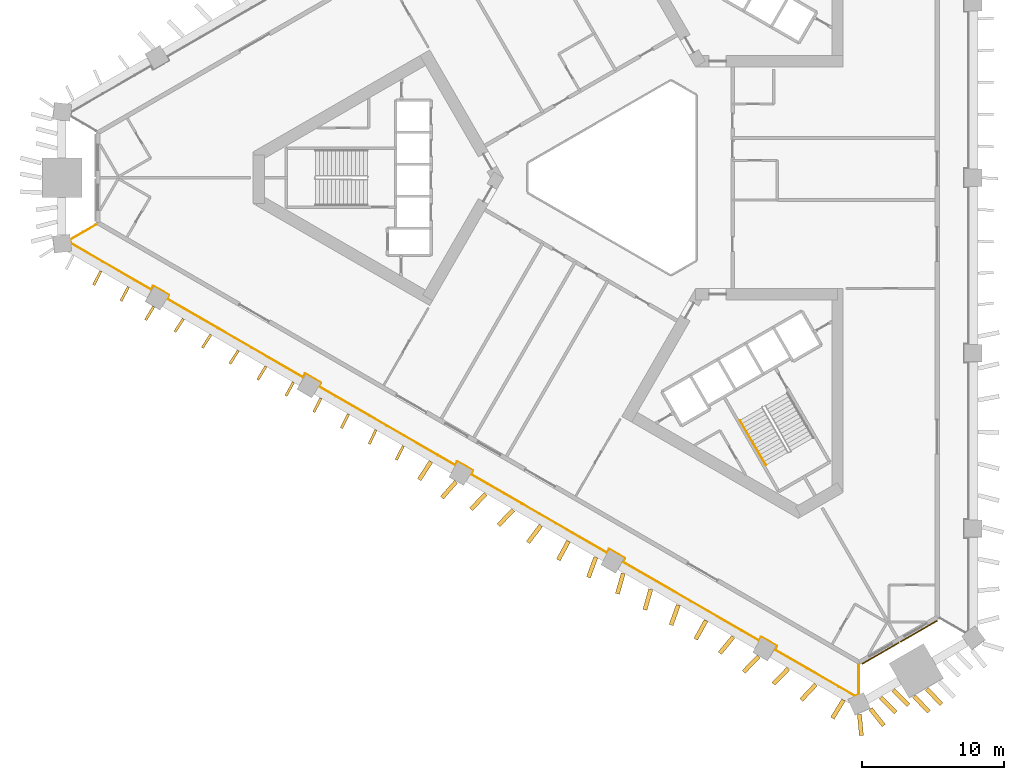
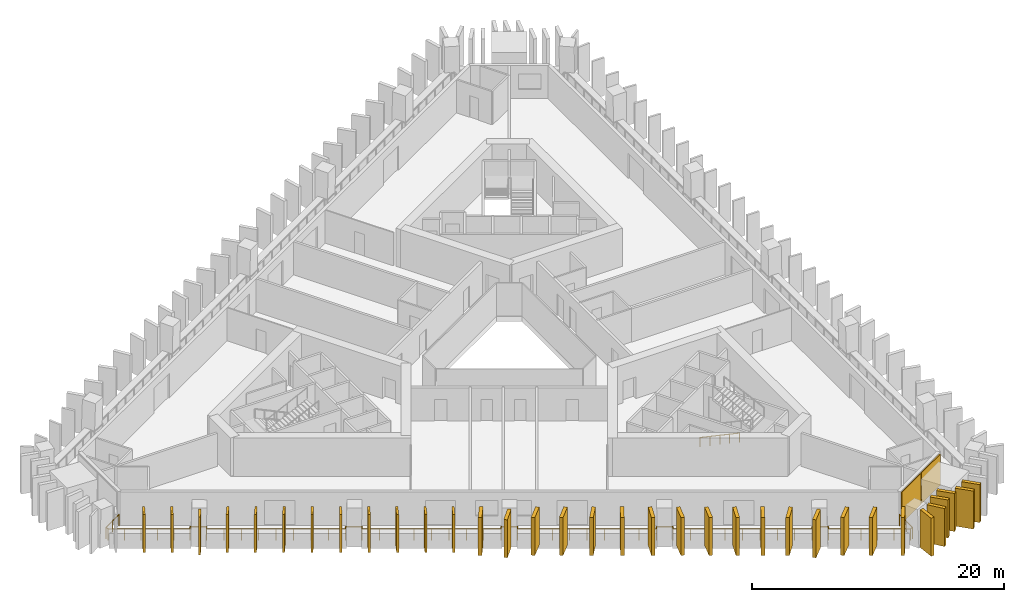
# One storey, part 7 of 10: 34 shading devices, 2 coverings, 2 railings.
"""IFC4 building model written with IfcOpenShell, lengths in metres."""

from ifc_helpers import new_model, si_unit, direction, frame, frame_2d, origin, origin_2d, place, context, subcontext, project, spatial, rectangle, circle, extrude, material, layer, layer_set, type_object, element, save


model = new_model("IFC4")

# Units and contexts
model_context = context("Model", 3, precision=1e-05, world=origin(), true_north=direction((0.0, 1.0)))
body_context = subcontext(model_context, "Body", "Model", "MODEL_VIEW")
ifc_project = project(units=[si_unit("LENGTHUNIT", "METRE"), si_unit("AREAUNIT", "SQUARE_METRE"), si_unit("VOLUMEUNIT", "CUBIC_METRE"), si_unit("PLANEANGLEUNIT", "RADIAN"), si_unit("MASSUNIT", "GRAM", prefix="KILO")], contexts=[model_context])

# Site, building, storey
site_placement = place(None, origin())
site = spatial("IfcSite", under=ifc_project, at=site_placement, CompositionType="ELEMENT")
building_placement = place(site_placement, origin())
building = spatial("IfcBuilding", under=site, at=building_placement, Name="Jabali Bay Hotel Tower and Convention Centre", CompositionType="ELEMENT")
storey_placement = place(building_placement, frame((0.0, 0.0, 30.0)))
storey = spatial("IfcBuildingStorey", under=building, at=storey_placement, Name="L05", CompositionType="ELEMENT", Elevation=30.0)

# Railing
ifc_material_1 = material(Name="Glass", Category="glass")
railing_type_1 = type_object("IfcRailingType", Name="Loggia glass guard 1100", PredefinedType="BALUSTRADE", material=ifc_material_1)
railing_1_placement = place(storey_placement, frame((90.970947265625, 45.72216796875, 0.0)))
element("IfcRailing", 1, at=railing_1_placement, inside=storey, type_object=railing_type_1, Name="Loggia glass guard L05", PredefinedType="BALUSTRADE", context=body_context, shape_type="SweptSolid", body=[
    extrude(circle(Radius=0.02490234375, at=origin_2d()), frame((0.0, 0.0, 1.0751953125), z_axis=(0.0, -1.0, 0.0), x_axis=(0.991444861374, 0.0, 0.13052619222)), (0.0, 0.0, 1.0), 2.0556640625),
    extrude(circle(Radius=0.02490234375, at=origin_2d()), frame((0.0, -2.0556640625, 1.0751953125), z_axis=(-0.917848253155, -0.396931460305, 0.0), x_axis=(0.393535656637, -0.909995934112, 0.13052619222)), (0.0, 0.0, 1.0), 0.273681640625),
    extrude(circle(Radius=0.02490234375, at=origin_2d()), frame((-0.251220703125, -2.164306640625, 1.0751953125), z_axis=(-0.866038082106, 0.49997803986, 0.0), x_axis=(-0.495700658419, -0.858629006258, 0.13052619222)), (0.0, 0.0, 1.0), 6.504638671875),
    extrude(circle(Radius=0.02490234375, at=origin_2d()), frame((-5.884521484375, 1.087890625, 1.0751953125), z_axis=(0.500426713919, 0.865778900179, 0.0), x_axis=(-0.858372041669, 0.49614549401, 0.13052619222)), (0.0, 0.0, 1.0), 0.300048828125),
    extrude(circle(Radius=0.02490234375, at=origin_2d()), frame((-5.734375, 1.34765625, 1.0751953125), z_axis=(-0.866004217611, 0.500036693733, 0.0), x_axis=(-0.4957588105, -0.858595431479, 0.13052619222)), (0.0, 0.0, 1.0), 1.30029296875),
    extrude(circle(Radius=0.02490234375, at=origin_2d()), frame((-6.8603515625, 1.997802734375, 1.0751953125), z_axis=(-0.499816412211, -0.866131372301, 0.0), x_axis=(0.858721498343, -0.495540413517, 0.13052619222)), (0.0, 0.0, 1.0), 0.2998046875),
    extrude(circle(Radius=0.02490234375, at=origin_2d()), frame((-7.01025390625, 1.738037109375, 1.0751953125), z_axis=(-0.866027235041, 0.499996828157, 0.0), x_axis=(-0.495719285979, -0.858618251991, 0.13052619222)), (0.0, 0.0, 1.0), 11.0400390625),
    extrude(circle(Radius=0.02490234375, at=origin_2d()), frame((-16.5712890625, 7.258056640625, 1.0751953125), z_axis=(0.500426713919, 0.865778900179, 0.0), x_axis=(-0.858372041669, 0.49614549401, 0.13052619222)), (0.0, 0.0, 1.0), 0.300048828125),
    extrude(circle(Radius=0.02490234375, at=origin_2d()), frame((-16.421142578125, 7.517822265625, 1.0751953125), z_axis=(-0.866085525409, 0.49989585183, 0.0), x_axis=(-0.495619173519, -0.858676043677, 0.13052619222)), (0.0, 0.0, 1.0), 1.300048828125),
    extrude(circle(Radius=0.02490234375, at=origin_2d()), frame((-17.547119140625, 8.167724609375, 1.0751953125), z_axis=(-0.499816412211, -0.866131372301, 0.0), x_axis=(0.858721498343, -0.495540413517, 0.13052619222)), (0.0, 0.0, 1.0), 0.2998046875),
    extrude(circle(Radius=0.02490234375, at=origin_2d()), frame((-17.697021484375, 7.907958984375, 1.0751953125), z_axis=(-0.866027235041, 0.499996828157, 0.0), x_axis=(-0.495719285979, -0.858618251991, 0.13052619222)), (0.0, 0.0, 1.0), 11.0400390625),
    extrude(circle(Radius=0.02490234375, at=origin_2d()), frame((-27.258056640625, 13.427978515625, 1.0751953125), z_axis=(0.500426713919, 0.865778900179, 0.0), x_axis=(-0.858372041669, 0.49614549401, 0.13052619222)), (0.0, 0.0, 1.0), 0.300048828125),
    extrude(circle(Radius=0.02490234375, at=origin_2d()), frame((-27.10791015625, 13.687744140625, 1.0751953125), z_axis=(-0.866004217611, 0.500036693733, 0.0), x_axis=(-0.4957588105, -0.858595431479, 0.13052619222)), (0.0, 0.0, 1.0), 1.30029296875),
    extrude(circle(Radius=0.02490234375, at=origin_2d()), frame((-28.23388671875, 14.337890625, 1.0751953125), z_axis=(-0.499816412211, -0.866131372301, 0.0), x_axis=(0.858721498343, -0.495540413517, 0.13052619222)), (0.0, 0.0, 1.0), 0.2998046875),
    extrude(circle(Radius=0.02490234375, at=origin_2d()), frame((-28.3837890625, 14.078125, 1.0751953125), z_axis=(-0.866027235041, 0.499996828157, 0.0), x_axis=(-0.495719285979, -0.858618251991, 0.13052619222)), (0.0, 0.0, 1.0), 11.0400390625),
    extrude(circle(Radius=0.02490234375, at=origin_2d()), frame((-37.94482421875, 19.59814453125, 1.0751953125), z_axis=(0.499816412211, 0.866131372301, 0.0), x_axis=(-0.858721498343, 0.495540413517, 0.13052619222)), (0.0, 0.0, 1.0), 0.2998046875),
    extrude(circle(Radius=0.02490234375, at=origin_2d()), frame((-37.794921875, 19.85791015625, 1.0751953125), z_axis=(-0.86603858612, 0.49997716683, 0.0), x_axis=(-0.495699792858, -0.85862950596, 0.13052619222)), (0.0, 0.0, 1.0), 1.2998046875),
    extrude(circle(Radius=0.02490234375, at=origin_2d()), frame((-38.920654296875, 20.5078125, 1.0751953125), z_axis=(-0.499816412211, -0.866131372301, 0.0), x_axis=(0.858721498343, -0.495540413517, 0.13052619222)), (0.0, 0.0, 1.0), 0.2998046875),
    extrude(circle(Radius=0.02490234375, at=origin_2d()), frame((-39.070556640625, 20.248046875, 1.0751953125), z_axis=(-0.866027235041, 0.499996828157, 0.0), x_axis=(-0.495719285979, -0.858618251991, 0.13052619222)), (0.0, 0.0, 1.0), 11.0400390625),
    extrude(circle(Radius=0.02490234375, at=origin_2d()), frame((-48.631591796875, 25.76806640625, 1.0751953125), z_axis=(0.499816412211, 0.866131372301, 0.0), x_axis=(-0.858721498343, 0.495540413517, 0.13052619222)), (0.0, 0.0, 1.0), 0.2998046875),
    extrude(circle(Radius=0.02490234375, at=origin_2d()), frame((-48.481689453125, 26.02783203125, 1.0751953125), z_axis=(-0.86595725628, 0.500118016368, 0.0), x_axis=(-0.495839437409, -0.858548871908, 0.13052619222)), (0.0, 0.0, 1.0), 1.300048828125),
    extrude(circle(Radius=0.02490234375, at=origin_2d()), frame((-49.607421875, 26.677978515625, 1.0751953125), z_axis=(-0.500074377092, -0.865982457891, 0.0), x_axis=(0.858573857916, -0.495796171473, 0.13052619222)), (0.0, 0.0, 1.0), 0.30029296875),
    extrude(circle(Radius=0.02490234375, at=origin_2d()), frame((-49.757568359375, 26.41796875, 1.0751953125), z_axis=(-0.866012446351, 0.500022442261, 0.0), x_axis=(-0.495744680951, -0.858603589821, 0.13052619222)), (0.0, 0.0, 1.0), 6.504638671875),
    extrude(circle(Radius=0.02490234375, at=origin_2d()), frame((-55.390625, 29.67041015625, 1.0751953125), z_axis=(-0.115132230487, 0.993350174663, 0.0), x_axis=(-0.984851926214, -0.114147258294, 0.13052619222)), (0.0, 0.0, 1.0), 0.2734375),
    extrude(circle(Radius=0.02490234375, at=origin_2d()), frame((-55.422119140625, 29.942138671875, 1.0751953125), z_axis=(0.865975938727, 0.500085666207, 0.0), x_axis=(-0.495807364007, 0.858567394524, 0.13052619222)), (0.0, 0.0, 1.0), 2.055908203125),
    extrude(circle(Radius=0.02001953125, at=origin_2d()), origin(), (0.0, 0.0, 1.0), 1.050048828125),
    extrude(circle(Radius=0.02001953125, at=origin_2d()), frame((0.0, -1.02783203125, 0.0)), (0.0, 0.0, 1.0), 1.050048828125),
    extrude(circle(Radius=0.02001953125, at=origin_2d()), frame((0.0, -2.0556640625, 0.0)), (0.0, 0.0, 1.0), 1.050048828125),
    extrude(circle(Radius=0.02001953125, at=origin_2d()), frame((-0.251220703125, -2.164306640625, 0.0)), (0.0, 0.0, 1.0), 1.050048828125),
    extrude(circle(Radius=0.02001953125, at=origin_2d()), frame((-1.3779296875, -1.513916015625, 0.0)), (0.0, 0.0, 1.0), 1.050048828125),
    extrude(circle(Radius=0.02001953125, at=origin_2d()), frame((-2.504638671875, -0.863525390625, 0.0)), (0.0, 0.0, 1.0), 1.050048828125),
    extrude(circle(Radius=0.02001953125, at=origin_2d()), frame((-3.631103515625, -0.212890625, 0.0)), (0.0, 0.0, 1.0), 1.050048828125),
    extrude(circle(Radius=0.02001953125, at=origin_2d()), frame((-4.7578125, 0.4375, 0.0)), (0.0, 0.0, 1.0), 1.050048828125),
    extrude(circle(Radius=0.02001953125, at=origin_2d()), frame((-5.884521484375, 1.087890625, 0.0)), (0.0, 0.0, 1.0), 1.050048828125),
    extrude(circle(Radius=0.02001953125, at=origin_2d()), frame((-5.734375, 1.34765625, 0.0)), (0.0, 0.0, 1.0), 1.050048828125),
    extrude(circle(Radius=0.02001953125, at=origin_2d()), frame((-6.8603515625, 1.997802734375, 0.0)), (0.0, 0.0, 1.0), 1.050048828125),
    extrude(circle(Radius=0.02001953125, at=origin_2d()), frame((-7.01025390625, 1.738037109375, 0.0)), (0.0, 0.0, 1.0), 1.050048828125),
    extrude(circle(Radius=0.02001953125, at=origin_2d()), frame((-8.205322265625, 2.427978515625, 0.0)), (0.0, 0.0, 1.0), 1.050048828125),
    extrude(circle(Radius=0.02001953125, at=origin_2d()), frame((-9.400390625, 3.1181640625, 0.0)), (0.0, 0.0, 1.0), 1.050048828125),
    extrude(circle(Radius=0.02001953125, at=origin_2d()), frame((-10.595703125, 3.80810546875, 0.0)), (0.0, 0.0, 1.0), 1.050048828125),
    extrude(circle(Radius=0.02001953125, at=origin_2d()), frame((-11.790771484375, 4.498046875, 0.0)), (0.0, 0.0, 1.0), 1.050048828125),
    extrude(circle(Radius=0.02001953125, at=origin_2d()), frame((-12.98583984375, 5.18798828125, 0.0)), (0.0, 0.0, 1.0), 1.050048828125),
    extrude(circle(Radius=0.02001953125, at=origin_2d()), frame((-14.18115234375, 5.8779296875, 0.0)), (0.0, 0.0, 1.0), 1.050048828125),
    extrude(circle(Radius=0.02001953125, at=origin_2d()), frame((-15.376220703125, 6.568115234375, 0.0)), (0.0, 0.0, 1.0), 1.050048828125),
    extrude(circle(Radius=0.02001953125, at=origin_2d()), frame((-16.5712890625, 7.258056640625, 0.0)), (0.0, 0.0, 1.0), 1.050048828125),
    extrude(circle(Radius=0.02001953125, at=origin_2d()), frame((-16.421142578125, 7.517822265625, 0.0)), (0.0, 0.0, 1.0), 1.050048828125),
    extrude(circle(Radius=0.02001953125, at=origin_2d()), frame((-17.547119140625, 8.167724609375, 0.0)), (0.0, 0.0, 1.0), 1.050048828125),
    extrude(circle(Radius=0.02001953125, at=origin_2d()), frame((-17.697021484375, 7.907958984375, 0.0)), (0.0, 0.0, 1.0), 1.050048828125),
    extrude(circle(Radius=0.02001953125, at=origin_2d()), frame((-18.89208984375, 8.597900390625, 0.0)), (0.0, 0.0, 1.0), 1.050048828125),
    extrude(circle(Radius=0.02001953125, at=origin_2d()), frame((-20.08740234375, 9.2880859375, 0.0)), (0.0, 0.0, 1.0), 1.050048828125),
    extrude(circle(Radius=0.02001953125, at=origin_2d()), frame((-21.282470703125, 9.97802734375, 0.0)), (0.0, 0.0, 1.0), 1.050048828125),
    extrude(circle(Radius=0.02001953125, at=origin_2d()), frame((-22.4775390625, 10.66796875, 0.0)), (0.0, 0.0, 1.0), 1.050048828125),
    extrude(circle(Radius=0.02001953125, at=origin_2d()), frame((-23.672607421875, 11.35791015625, 0.0)), (0.0, 0.0, 1.0), 1.050048828125),
    extrude(circle(Radius=0.02001953125, at=origin_2d()), frame((-24.86767578125, 12.0478515625, 0.0)), (0.0, 0.0, 1.0), 1.050048828125),
    extrude(circle(Radius=0.02001953125, at=origin_2d()), frame((-26.06298828125, 12.738037109375, 0.0)), (0.0, 0.0, 1.0), 1.050048828125),
    extrude(circle(Radius=0.02001953125, at=origin_2d()), frame((-27.258056640625, 13.427978515625, 0.0)), (0.0, 0.0, 1.0), 1.050048828125),
    extrude(circle(Radius=0.02001953125, at=origin_2d()), frame((-27.10791015625, 13.687744140625, 0.0)), (0.0, 0.0, 1.0), 1.050048828125),
    extrude(circle(Radius=0.02001953125, at=origin_2d()), frame((-28.23388671875, 14.337890625, 0.0)), (0.0, 0.0, 1.0), 1.050048828125),
    extrude(circle(Radius=0.02001953125, at=origin_2d()), frame((-28.3837890625, 14.078125, 0.0)), (0.0, 0.0, 1.0), 1.050048828125),
    extrude(circle(Radius=0.02001953125, at=origin_2d()), frame((-29.578857421875, 14.76806640625, 0.0)), (0.0, 0.0, 1.0), 1.050048828125),
    extrude(circle(Radius=0.02001953125, at=origin_2d()), frame((-30.77392578125, 15.4580078125, 0.0)), (0.0, 0.0, 1.0), 1.050048828125),
    extrude(circle(Radius=0.02001953125, at=origin_2d()), frame((-31.96923828125, 16.148193359375, 0.0)), (0.0, 0.0, 1.0), 1.050048828125),
    extrude(circle(Radius=0.02001953125, at=origin_2d()), frame((-33.164306640625, 16.838134765625, 0.0)), (0.0, 0.0, 1.0), 1.050048828125),
    extrude(circle(Radius=0.02001953125, at=origin_2d()), frame((-34.359375, 17.528076171875, 0.0)), (0.0, 0.0, 1.0), 1.050048828125),
    extrude(circle(Radius=0.02001953125, at=origin_2d()), frame((-35.5546875, 18.21826171875, 0.0)), (0.0, 0.0, 1.0), 1.050048828125),
    extrude(circle(Radius=0.02001953125, at=origin_2d()), frame((-36.749755859375, 18.908203125, 0.0)), (0.0, 0.0, 1.0), 1.050048828125),
    extrude(circle(Radius=0.02001953125, at=origin_2d()), frame((-37.94482421875, 19.59814453125, 0.0)), (0.0, 0.0, 1.0), 1.050048828125),
    extrude(circle(Radius=0.02001953125, at=origin_2d()), frame((-37.794921875, 19.85791015625, 0.0)), (0.0, 0.0, 1.0), 1.050048828125),
    extrude(circle(Radius=0.02001953125, at=origin_2d()), frame((-38.920654296875, 20.5078125, 0.0)), (0.0, 0.0, 1.0), 1.050048828125),
    extrude(circle(Radius=0.02001953125, at=origin_2d()), frame((-39.070556640625, 20.248046875, 0.0)), (0.0, 0.0, 1.0), 1.050048828125),
    extrude(circle(Radius=0.02001953125, at=origin_2d()), frame((-40.265625, 20.93798828125, 0.0)), (0.0, 0.0, 1.0), 1.050048828125),
    extrude(circle(Radius=0.02001953125, at=origin_2d()), frame((-41.4609375, 21.6279296875, 0.0)), (0.0, 0.0, 1.0), 1.050048828125),
    extrude(circle(Radius=0.02001953125, at=origin_2d()), frame((-42.656005859375, 22.318115234375, 0.0)), (0.0, 0.0, 1.0), 1.050048828125),
    extrude(circle(Radius=0.02001953125, at=origin_2d()), frame((-43.85107421875, 23.008056640625, 0.0)), (0.0, 0.0, 1.0), 1.050048828125),
    extrude(circle(Radius=0.02001953125, at=origin_2d()), frame((-45.046142578125, 23.697998046875, 0.0)), (0.0, 0.0, 1.0), 1.050048828125),
    extrude(circle(Radius=0.02001953125, at=origin_2d()), frame((-46.2412109375, 24.38818359375, 0.0)), (0.0, 0.0, 1.0), 1.050048828125),
    extrude(circle(Radius=0.02001953125, at=origin_2d()), frame((-47.4365234375, 25.078125, 0.0)), (0.0, 0.0, 1.0), 1.050048828125),
    extrude(circle(Radius=0.02001953125, at=origin_2d()), frame((-48.631591796875, 25.76806640625, 0.0)), (0.0, 0.0, 1.0), 1.050048828125),
    extrude(circle(Radius=0.02001953125, at=origin_2d()), frame((-48.481689453125, 26.02783203125, 0.0)), (0.0, 0.0, 1.0), 1.050048828125),
    extrude(circle(Radius=0.02001953125, at=origin_2d()), frame((-49.607421875, 26.677978515625, 0.0)), (0.0, 0.0, 1.0), 1.050048828125),
    extrude(circle(Radius=0.02001953125, at=origin_2d()), frame((-49.757568359375, 26.41796875, 0.0)), (0.0, 0.0, 1.0), 1.050048828125),
    extrude(circle(Radius=0.02001953125, at=origin_2d()), frame((-50.88427734375, 27.068359375, 0.0)), (0.0, 0.0, 1.0), 1.050048828125),
    extrude(circle(Radius=0.02001953125, at=origin_2d()), frame((-52.0107421875, 27.718994140625, 0.0)), (0.0, 0.0, 1.0), 1.050048828125),
    extrude(circle(Radius=0.02001953125, at=origin_2d()), frame((-53.137451171875, 28.369384765625, 0.0)), (0.0, 0.0, 1.0), 1.050048828125),
    extrude(circle(Radius=0.02001953125, at=origin_2d()), frame((-54.263916015625, 29.02001953125, 0.0)), (0.0, 0.0, 1.0), 1.050048828125),
    extrude(circle(Radius=0.02001953125, at=origin_2d()), frame((-55.390625, 29.67041015625, 0.0)), (0.0, 0.0, 1.0), 1.050048828125),
    extrude(circle(Radius=0.02001953125, at=origin_2d()), frame((-55.422119140625, 29.942138671875, 0.0)), (0.0, 0.0, 1.0), 1.050048828125),
    extrude(circle(Radius=0.02001953125, at=origin_2d()), frame((-54.531982421875, 30.4560546875, 0.0)), (0.0, 0.0, 1.0), 1.050048828125),
    extrude(circle(Radius=0.02001953125, at=origin_2d()), frame((-53.641845703125, 30.97021484375, 0.0)), (0.0, 0.0, 1.0), 1.050048828125),
])

# Shading devices
ifc_material_2 = material(Name="Precast concrete C60", Category="concrete")
ifc_layer_1 = layer(ifc_material_2, 0.179931640625)
ifc_layer_set_1 = layer_set([ifc_layer_1], Name="Precast concrete C60")
shading_device_type_1 = type_object("IfcShadingDeviceType", Name="Precast fin 3680 x 1100", PredefinedType="USERDEFINED", material=ifc_layer_set_1)
shading_device_1_placement = place(storey_placement, frame((37.68212890625, 73.43212890625, 0.010009765625), z_axis=(0.0, 0.0, 1.0), x_axis=(-0.456334671769, -0.889808219417, 0.0)))
element("IfcShadingDevice", 2, at=shading_device_1_placement, inside=storey, type_object=shading_device_type_1, Name="Fin L05 077", ObjectType="FIN", PredefinedType="USERDEFINED", context=body_context, shape_type="SweptSolid", body=[
    extrude(rectangle(XDim=1.099853515625, YDim=0.179931640625, at=frame_2d((0.5498046875, 0.0))), origin(), (0.0, 0.0, 1.0), 3.679931640625),
])
for number, where, z_axis, x_axis, name in (
    (3, (39.61669921875, 72.316162109375, 0.010009765625), (0.0, 0.0, 1.0), (-0.463824547754, -0.885927078772, 0.0), "Fin L05 078"),
    (4, (41.398193359375, 70.93505859375, 0.010009765625), (0.0, 0.0, 1.0), (-0.515278758262, -0.857022637557, 0.0), "Fin L05 079"),
):
    element("IfcShadingDevice", number, at=place(storey_placement, frame(where, z_axis=z_axis, x_axis=x_axis)), inside=storey, type_object=shading_device_type_1, Name=name, ObjectType="FIN", PredefinedType="USERDEFINED", context=body_context, shape_type="SweptSolid", body=[
        extrude(rectangle(XDim=1.10009765625, YDim=0.179931640625, at=frame_2d((0.550048828125, 0.0))), origin(), (0.0, 0.0, 1.0), 3.679931640625),
    ])
for number, where, z_axis, x_axis, name in (
    (5, (43.484619140625, 70.08203125, 0.010009765625), (0.0, 0.0, 1.0), (-0.542450380346, -0.840087843539, 0.0), "Fin L05 080"),
    (6, (45.418701171875, 68.96533203125, 0.010009765625), (0.0, 0.0, 1.0), (-0.542450380346, -0.840087843539, 0.0), "Fin L05 081"),
    (7, (47.35302734375, 67.8486328125, 0.010009765625), (0.0, 0.0, 1.0), (-0.542708158616, -0.839921338324, 0.0), "Fin L05 082"),
):
    element("IfcShadingDevice", number, at=place(storey_placement, frame(where, z_axis=z_axis, x_axis=x_axis)), inside=storey, type_object=shading_device_type_1, Name=name, ObjectType="FIN", PredefinedType="USERDEFINED", context=body_context, shape_type="SweptSolid", body=[
        extrude(rectangle(XDim=1.099853515625, YDim=0.179931640625, at=frame_2d((0.5498046875, 0.0))), origin(), (0.0, 0.0, 1.0), 3.679931640625),
    ])
for number, where, z_axis, x_axis, name in (
    (8, (49.288330078125, 66.73388671875, 0.010009765625), (0.0, 0.0, 1.0), (-0.522437150414, -0.852677796045, 0.0), "Fin L05 083"),
    (9, (51.22265625, 65.617431640625, 0.010009765625), (0.0, 0.0, 1.0), (-0.480452819753, -0.87702057444, 0.0), "Fin L05 084"),
):
    element("IfcShadingDevice", number, at=place(storey_placement, frame(where, z_axis=z_axis, x_axis=x_axis)), inside=storey, type_object=shading_device_type_1, Name=name, ObjectType="FIN", PredefinedType="USERDEFINED", context=body_context, shape_type="SweptSolid", body=[
        extrude(rectangle(XDim=1.10009765625, YDim=0.179931640625, at=frame_2d((0.550048828125, 0.0))), origin(), (0.0, 0.0, 1.0), 3.679931640625),
    ])
shading_device_2_placement = place(storey_placement, frame((53.1552734375, 64.498046875, 0.010009765625), z_axis=(0.0, 0.0, 1.0), x_axis=(-0.451912983689, -0.892062024286, 0.0)))
element("IfcShadingDevice", 10, at=shading_device_2_placement, inside=storey, type_object=shading_device_type_1, Name="Fin L05 085", ObjectType="FIN", PredefinedType="USERDEFINED", context=body_context, shape_type="SweptSolid", body=[
    extrude(rectangle(XDim=1.099853515625, YDim=0.179931640625, at=frame_2d((0.5498046875, 0.0))), origin(), (0.0, 0.0, 1.0), 3.679931640625),
])
shading_device_3_placement = place(storey_placement, frame((55.089111328125, 63.380859375, 0.010009765625), z_axis=(0.0, 0.0, 1.0), x_axis=(-0.444992803216, -0.895534145126, 0.0)))
element("IfcShadingDevice", 11, at=shading_device_3_placement, inside=storey, type_object=shading_device_type_1, Name="Fin L05 086", ObjectType="FIN", PredefinedType="USERDEFINED", context=body_context, shape_type="SweptSolid", body=[
    extrude(rectangle(XDim=1.10009765625, YDim=0.179931640625, at=frame_2d((0.550048828125, 0.0))), origin(), (0.0, 0.0, 1.0), 3.679931640625),
])
for number, where, z_axis, x_axis, name in (
    (12, (57.0224609375, 62.262451171875, 0.010009765625), (0.0, 0.0, 1.0), (-0.427122272581, -0.904193875375, 0.0), "Fin L05 087"),
    (13, (58.9580078125, 61.148193359375, 0.010009765625), (0.0, 0.0, 1.0), (-0.455099325233, -0.890440679761, 0.0), "Fin L05 088"),
):
    element("IfcShadingDevice", number, at=place(storey_placement, frame(where, z_axis=z_axis, x_axis=x_axis)), inside=storey, type_object=shading_device_type_1, Name=name, ObjectType="FIN", PredefinedType="USERDEFINED", context=body_context, shape_type="SweptSolid", body=[
        extrude(rectangle(XDim=1.099853515625, YDim=0.179931640625, at=frame_2d((0.5498046875, 0.0))), origin(), (0.0, 0.0, 1.0), 3.679931640625),
    ])
ifc_layer_2 = layer(ifc_material_2, 0.300048828125)
ifc_layer_set_2 = layer_set([ifc_layer_2], Name="Precast concrete C60")
shading_device_type_2 = type_object("IfcShadingDeviceType", Name="Precast fin 3680 x 1500", PredefinedType="USERDEFINED", material=ifc_layer_set_2)
for number, where, z_axis, x_axis, name in (
    (14, (60.89013671875, 60.028076171875, 0.010009765625), (0.0, 0.0, 1.0), (-0.549619490667, -0.835415115663, 0.0), "Fin L05 089"),
    (15, (62.660400390625, 58.627197265625, 0.010009765625), (0.0, 0.0, 1.0), (-0.659633047269, -0.75158781453, 0.0), "Fin L05 090"),
    (16, (64.7451171875, 57.771484375, 0.010009765625), (0.0, 0.0, 1.0), (-0.690893691, -0.722956366413, 0.0), "Fin L05 091"),
    (17, (66.6796875, 56.655029296875, 0.010009765625), (0.0, 0.0, 1.0), (-0.688475650582, -0.725259456027, 0.0), "Fin L05 092"),
    (18, (68.6220703125, 55.552734375, 0.010009765625), (0.0, 0.0, 1.0), (-0.603224462126, -0.797571469082, 0.0), "Fin L05 093"),
    (19, (70.5634765625, 54.448486328125, 0.010009765625), (0.0, 0.0, 1.0), (-0.475564691174, -0.879680751471, 0.0), "Fin L05 094"),
):
    element("IfcShadingDevice", number, at=place(storey_placement, frame(where, z_axis=z_axis, x_axis=x_axis)), inside=storey, type_object=shading_device_type_2, Name=name, ObjectType="FIN", PredefinedType="USERDEFINED", context=body_context, shape_type="SweptSolid", body=[
        extrude(rectangle(XDim=1.5, YDim=0.300048828125, at=frame_2d((0.75, 0.0))), origin(), (0.0, 0.0, 1.0), 3.679931640625),
    ])
shading_device_4_placement = place(storey_placement, frame((72.487060546875, 53.313232421875, 0.010009765625), z_axis=(0.0, 0.0, 1.0), x_axis=(-0.344837946453, -0.938662234612, 0.0)))
element("IfcShadingDevice", 20, at=shading_device_4_placement, inside=storey, type_object=shading_device_type_2, Name="Fin L05 095", ObjectType="FIN", PredefinedType="USERDEFINED", context=body_context, shape_type="SweptSolid", body=[
    extrude(rectangle(XDim=1.500244140625, YDim=0.300048828125, at=frame_2d((0.75, 0.0))), origin(), (0.0, 0.0, 1.0), 3.679931640625),
])
for number, where, z_axis, x_axis, name in (
    (21, (74.41552734375, 52.186767578125, 0.010009765625), (0.0, 0.0, 1.0), (-0.273129894781, -0.961977162191, 0.0), "Fin L05 096"),
    (22, (76.349853515625, 51.070068359375, 0.010009765625), (0.0, 0.0, 1.0), (-0.273129894781, -0.961977162191, 0.0), "Fin L05 097"),
    (23, (78.2890625, 49.96240234375, 0.010009765625), (0.0, 0.0, 1.0), (-0.339520473232, -0.940598664817, 0.0), "Fin L05 098"),
    (24, (80.2353515625, 48.8662109375, 0.010009765625), (0.0, 0.0, 1.0), (-0.48553236894, -0.874218690438, 0.0), "Fin L05 099"),
    (25, (82.158447265625, 47.73046875, 0.010009765625), (0.0, 0.0, 1.0), (-0.634805372277, -0.772672077487, 0.0), "Fin L05 100"),
    (26, (83.932861328125, 46.3369140625, 0.010009765625), (0.0, 0.0, 1.0), (-0.696613402281, -0.717446700293, 0.0), "Fin L05 101"),
):
    element("IfcShadingDevice", number, at=place(storey_placement, frame(where, z_axis=z_axis, x_axis=x_axis)), inside=storey, type_object=shading_device_type_2, Name=name, ObjectType="FIN", PredefinedType="USERDEFINED", context=body_context, shape_type="SweptSolid", body=[
        extrude(rectangle(XDim=1.5, YDim=0.300048828125, at=frame_2d((0.75, 0.0))), origin(), (0.0, 0.0, 1.0), 3.679931640625),
    ])
shading_device_5_placement = place(storey_placement, frame((86.020751953125, 45.486572265625, 0.010009765625), z_axis=(0.0, 0.0, 1.0), x_axis=(-0.696529610542, -0.717528049374, 0.0)))
element("IfcShadingDevice", 27, at=shading_device_5_placement, inside=storey, type_object=shading_device_type_2, Name="Fin L05 102", ObjectType="FIN", PredefinedType="USERDEFINED", context=body_context, shape_type="SweptSolid", body=[
    extrude(rectangle(XDim=1.499755859375, YDim=0.300048828125, at=frame_2d((0.75, 0.0))), origin(), (0.0, 0.0, 1.0), 3.679931640625),
])
shading_device_6_placement = place(storey_placement, frame((87.956298828125, 44.3720703125, 0.010009765625), z_axis=(0.0, 0.0, 1.0), x_axis=(-0.684374112627, -0.729131040325, 0.0)))
element("IfcShadingDevice", 28, at=shading_device_6_placement, inside=storey, type_object=shading_device_type_2, Name="Fin L05 103", ObjectType="FIN", PredefinedType="USERDEFINED", context=body_context, shape_type="SweptSolid", body=[
    extrude(rectangle(XDim=1.5, YDim=0.300048828125, at=frame_2d((0.75, 0.0))), origin(), (0.0, 0.0, 1.0), 3.679931640625),
])
shading_device_7_placement = place(storey_placement, frame((89.905517578125, 43.281494140625, 0.010009765625), z_axis=(0.0, 0.0, 1.0), x_axis=(-0.522516252875, -0.852629324784, 0.0)))
element("IfcShadingDevice", 29, at=shading_device_7_placement, inside=storey, type_object=shading_device_type_2, Name="Fin L05 104", ObjectType="FIN", PredefinedType="USERDEFINED", context=body_context, shape_type="SweptSolid", body=[
    extrude(rectangle(XDim=1.499755859375, YDim=0.300048828125, at=frame_2d((0.75, 0.0))), origin(), (0.0, 0.0, 1.0), 3.679931640625),
])
shading_device_8_placement = place(storey_placement, frame((91.800048828125, 42.66015625, 0.010009765625), z_axis=(0.0, 0.0, 1.0), x_axis=(0.622111119102, -0.782928959414, 0.0)))
element("IfcShadingDevice", 30, at=shading_device_8_placement, inside=storey, type_object=shading_device_type_2, Name="Fin L05 105", ObjectType="FIN", PredefinedType="USERDEFINED", context=body_context, shape_type="SweptSolid", body=[
    extrude(rectangle(XDim=1.5, YDim=0.300048828125, at=frame_2d((0.75, 0.0))), origin(), (0.0, 0.0, 1.0), 3.679931640625),
])
shading_device_9_placement = place(storey_placement, frame((92.520751953125, 43.472412109375, 0.010009765625), z_axis=(0.0, 0.0, 1.0), x_axis=(0.696532062554, -0.717525669112, 0.0)))
element("IfcShadingDevice", 31, at=shading_device_9_placement, inside=storey, type_object=shading_device_type_2, Name="Fin L05 106", ObjectType="FIN", PredefinedType="USERDEFINED", context=body_context, shape_type="SweptSolid", body=[
    extrude(rectangle(XDim=1.500244140625, YDim=0.300048828125, at=frame_2d((0.75, 0.0))), origin(), (0.0, 0.0, 1.0), 3.679931640625),
])
for number, where, z_axis, x_axis, name in (
    (32, (93.412841796875, 43.9873046875, 0.010009765625), (0.0, 0.0, 1.0), (0.696613402281, -0.717446700293, 0.0), "Fin L05 107"),
    (33, (94.861083984375, 43.5390625, 0.010009765625), (0.0, 0.0, 1.0), (0.696613402281, -0.717446700293, 0.0), "Fin L05 108"),
):
    element("IfcShadingDevice", number, at=place(storey_placement, frame(where, z_axis=z_axis, x_axis=x_axis)), inside=storey, type_object=shading_device_type_2, Name=name, ObjectType="FIN", PredefinedType="USERDEFINED", context=body_context, shape_type="SweptSolid", body=[
        extrude(rectangle(XDim=1.5, YDim=0.300048828125, at=frame_2d((0.75, 0.0))), origin(), (0.0, 0.0, 1.0), 3.679931640625),
    ])
shading_device_10_placement = place(storey_placement, frame((95.75341796875, 44.05419921875, 0.010009765625), z_axis=(0.0, 0.0, 1.0), x_axis=(0.696529610542, -0.717528049374, 0.0)))
element("IfcShadingDevice", 34, at=shading_device_10_placement, inside=storey, type_object=shading_device_type_2, Name="Fin L05 109", ObjectType="FIN", PredefinedType="USERDEFINED", context=body_context, shape_type="SweptSolid", body=[
    extrude(rectangle(XDim=1.499755859375, YDim=0.300048828125, at=frame_2d((0.75, 0.0))), origin(), (0.0, 0.0, 1.0), 3.679931640625),
])
shading_device_11_placement = place(storey_placement, frame((91.020751953125, 42.27587890625, 0.010009765625), z_axis=(0.0, 0.0, 1.0), x_axis=(0.093249964661, -0.995642729141, 0.0)))
element("IfcShadingDevice", 35, at=shading_device_11_placement, inside=storey, type_object=shading_device_type_2, Name="Fin L05 119", ObjectType="FIN", PredefinedType="USERDEFINED", context=body_context, shape_type="SweptSolid", body=[
    extrude(rectangle(XDim=1.500244140625, YDim=0.300048828125, at=frame_2d((0.75, 0.0))), origin(), (0.0, 0.0, 1.0), 3.679931640625),
])

# Coverings
ifc_material_3 = material(Name="Precast concrete C40/50", Category="concrete")
ifc_layer_3 = layer(ifc_material_3, 0.080078125)
ifc_layer_set_3 = layer_set([ifc_layer_3], Name="Precast concrete C40/50")
covering_type = type_object("IfcCoveringType", Name="Relief panel 3000 x 3000", PredefinedType="CLADDING", material=ifc_layer_set_3)
for number, where, z_axis, x_axis, name in (
    (36, (95.20166015625, 48.11865234375, 0.10009765625), (0.0, 0.0, 1.0), (-0.866025398994, -0.500000008298, 0.0), "Relief panel L05"),
    (37, (92.50927734375, 46.564208984375, 0.10009765625), (0.0, 0.0, 1.0), (-0.866025398994, -0.500000008298, 0.0), "Relief panel L05"),
):
    element("IfcCovering", number, at=place(storey_placement, frame(where, z_axis=z_axis, x_axis=x_axis)), inside=storey, type_object=covering_type, Name=name, PredefinedType="CLADDING", context=body_context, shape_type="SweptSolid", body=[
        extrude(rectangle(XDim=3.0, YDim=0.080078125, at=origin_2d()), origin(), (0.0, 0.0, 1.0), 3.0),
    ])

# Railing
ifc_material_4 = material(Name="Steel Q355B", Category="steel")
railing_type_2 = type_object("IfcRailingType", Name="Stair handrail 900", PredefinedType="HANDRAIL", material=ifc_material_4)
railing_2_placement = place(storey_placement, frame((82.622802734375, 62.94677734375, 0.132080078125)))
element("IfcRailing", 38, at=railing_2_placement, inside=storey, type_object=railing_type_2, Name="L05 ST3 stair handrail 1", PredefinedType="HANDRAIL", context=body_context, shape_type="SweptSolid", body=[
    extrude(circle(Radius=0.02392578125, at=origin_2d()), frame((0.0, 0.0, 0.8759765625), z_axis=(0.45217862506, -0.783169739339, 0.426825081763), x_axis=(0.866018046521, 0.500012742938, 0.0)), (0.0, 0.0, 1.0), 4.025146484375),
    extrude(circle(Radius=0.02099609375, at=origin_2d()), origin(), (0.0, 0.0, 1.0), 0.851806640625),
    extrude(circle(Radius=0.02099609375, at=origin_2d()), frame((0.455078125, -0.7880859375, 0.429443359375)), (0.0, 0.0, 1.0), 0.851806640625),
    extrude(circle(Radius=0.02099609375, at=origin_2d()), frame((0.91015625, -1.576171875, 0.85888671875)), (0.0, 0.0, 1.0), 0.851806640625),
    extrude(circle(Radius=0.02099609375, at=origin_2d()), frame((1.364990234375, -2.3642578125, 1.28857421875)), (0.0, 0.0, 1.0), 0.851806640625),
    extrude(circle(Radius=0.02099609375, at=origin_2d()), frame((1.820068359375, -3.15234375, 1.718017578125)), (0.0, 0.0, 1.0), 0.851806640625),
])

save(model, "model.ifc")
